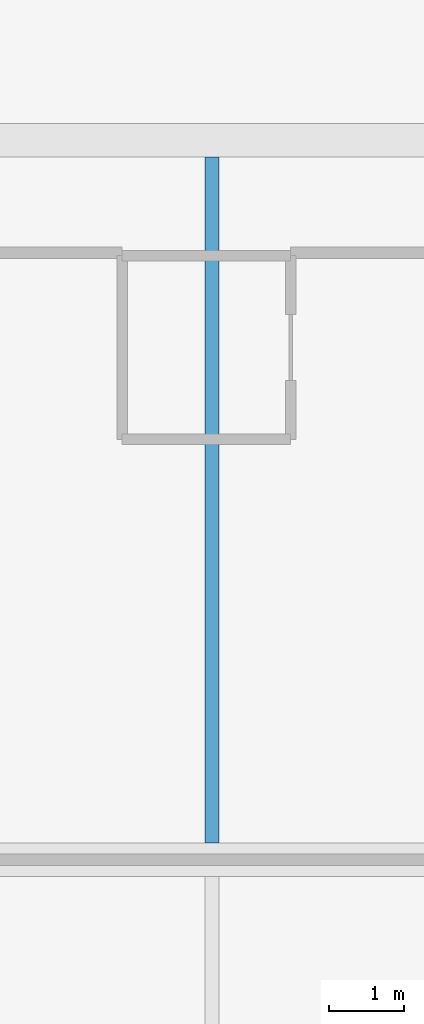
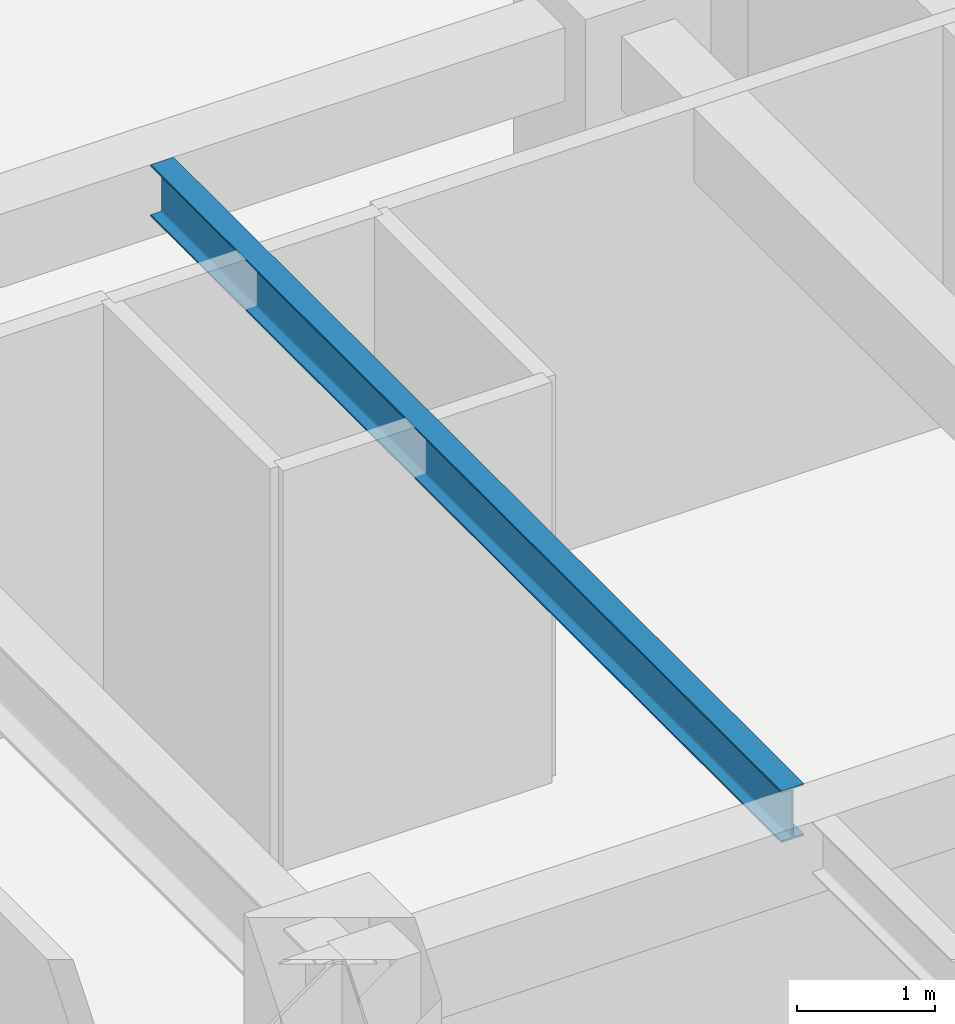
# One storey, part 2 of 10: 1 beam.
"""IFC4 building model written with IfcOpenShell, lengths in metres."""

import ifcopenshell
import ifcopenshell.guid

model = None  # the IFC model being written
_history = None  # IfcOwnerHistory: only IFC2X3 demands one
_inside = {}  # id of a spatial element -> (the spatial element, [elements in it])
_under = {}  # id of a project, library or spatial element -> (it, [spatial elements below it])
_declared = {}  # id of a project -> (the project, [libraries it declares])
_typed = {}  # id of a type object -> (the type object, [elements of that type])
_made_of = {}  # id of a material, layer set ... -> (it, [elements and type objects made of it])


def new_model(schema):
    """Start an empty IFC model of exactly this schema.

    Asked for "IFC4X3", IfcOpenShell would pick the latest addendum, in which some entities
    have other attributes; the version numbers below select the first issue.
    IFC2X3 requires an IfcOwnerHistory on every rooted entity: one is made here for all.
    """
    global model, _history
    if schema == "IFC4X3":
        model = ifcopenshell.file(schema_version=(4, 3, 0, 0))
    else:
        model = ifcopenshell.file(schema=schema)
    _inside.clear()
    _under.clear()
    _declared.clear()
    _typed.clear()
    _made_of.clear()
    _history = None
    if model.schema == "IFC2X3":
        org = make("IfcOrganization", Name="unknown")
        user = make(
            "IfcPersonAndOrganization",
            ThePerson=make("IfcPerson", FamilyName="unknown"),
            TheOrganization=org,
        )
        app = make(
            "IfcApplication",
            ApplicationDeveloper=org,
            Version="unknown",
            ApplicationFullName="unknown",
            ApplicationIdentifier="unknown",
        )
        _history = make(
            "IfcOwnerHistory",
            OwningUser=user,
            OwningApplication=app,
            ChangeAction="ADDED",
            CreationDate=0,
        )
    return model


def make(cls, **values):
    """One entity of the class cls with the attributes given. An attribute that is None is left unset."""
    return model.create_entity(
        cls, **{name: value for name, value in values.items() if value is not None}
    )


def rooted(cls, **values):
    """An entity with a GlobalId (a new one), such as an element, a storey or a relation."""
    return make(cls, GlobalId=ifcopenshell.guid.new(), OwnerHistory=_history, **values)


def si_unit(unit_type, name, prefix=None):
    """IfcSIUnit, for example si_unit("LENGTHUNIT", "METRE", prefix="MILLI")."""
    return make("IfcSIUnit", UnitType=unit_type, Prefix=prefix, Name=name)


def assignment(units):
    """IfcUnitAssignment: the units of a project."""
    return None if units is None else make("IfcUnitAssignment", Units=units)


def point(xyz):
    """IfcCartesianPoint."""
    return None if xyz is None else make("IfcCartesianPoint", Coordinates=xyz)


def direction(xyz):
    """IfcDirection."""
    return None if xyz is None else make("IfcDirection", DirectionRatios=xyz)


def frame(location, z_axis=None, x_axis=None):
    """IfcAxis2Placement3D, a coordinate frame: its origin and axes. An axis left out is left unset."""
    return make(
        "IfcAxis2Placement3D",
        Location=point(location),
        Axis=direction(z_axis),
        RefDirection=direction(x_axis),
    )


def frame_2d(location, x_axis=None):
    """IfcAxis2Placement2D, a coordinate frame in the plane: its origin and x axis."""
    return make(
        "IfcAxis2Placement2D", Location=point(location), RefDirection=direction(x_axis)
    )


def origin():
    """The frame at (0, 0, 0) with its axes left unset."""
    return frame((0.0, 0.0, 0.0))


def origin_2d():
    """The frame at (0, 0) in the plane with its x axis left unset."""
    return frame_2d((0.0, 0.0))


def place(relative_to, where):
    """IfcLocalPlacement: puts the frame where relative to a parent placement (None: the world)."""
    return make(
        "IfcLocalPlacement", PlacementRelTo=relative_to, RelativePlacement=where
    )


def context(
    kind, dimensions, precision=None, world=None, true_north=None, identifier=None
):
    """IfcGeometricRepresentationContext, for example the 3D "Model" context."""
    return make(
        "IfcGeometricRepresentationContext",
        ContextIdentifier=identifier,
        ContextType=kind,
        CoordinateSpaceDimension=dimensions,
        Precision=precision,
        WorldCoordinateSystem=world,
        TrueNorth=true_north,
    )


def subcontext(parent, identifier, kind, view, scale=None):
    """IfcGeometricRepresentationSubContext, for example "Body" below "Model"."""
    return make(
        "IfcGeometricRepresentationSubContext",
        ContextIdentifier=identifier,
        ContextType=kind,
        ParentContext=parent,
        TargetScale=scale,
        TargetView=view,
    )


def project(units=None, contexts=None):
    """IfcProject with its units and contexts."""
    return rooted(
        "IfcProject",
        Name="project",
        RepresentationContexts=contexts,
        UnitsInContext=assignment(units),
    )


def spatial(cls, under=None, at=None, **own):
    """A site, building, storey or space (cls), placed at a placement, below another one or the project."""
    s = rooted(cls, ObjectPlacement=at, **own)
    if under is not None:
        _under.setdefault(under.id(), (under, []))[1].append(s)
    return s


def profile(cls, at=None, kind="AREA", **sizes):
    """A parametric profile (cls). Its sizes go by their IFC names, for example OverallWidth=200.0."""
    return make(cls, ProfileType=kind, Position=at, **sizes)


def i_section(**sizes):
    """IfcIShapeProfileDef."""
    return profile("IfcIShapeProfileDef", **sizes)


def extrude(swept, where, along, depth):
    """IfcExtrudedAreaSolid: the profile swept, set in the frame where, extruded along a direction by depth."""
    return make(
        "IfcExtrudedAreaSolid",
        SweptArea=swept,
        Position=where,
        ExtrudedDirection=direction(along),
        Depth=depth,
    )


def shape(context_of_items, identifier, shape_type, items):
    """IfcShapeRepresentation: the items that make up one representation, for example the "Body"."""
    return make(
        "IfcShapeRepresentation",
        ContextOfItems=context_of_items,
        RepresentationIdentifier=identifier,
        RepresentationType=shape_type,
        Items=items,
    )


def material(Name=None, Category=None):
    """IfcMaterial."""
    return make("IfcMaterial", Name=Name, Category=Category)


def material_profile(
    of_material, cross_section, Name=None, Category=None, Priority=None
):
    """IfcMaterialProfile: a cross section and its material."""
    return make(
        "IfcMaterialProfile",
        Name=Name,
        Material=of_material,
        Profile=cross_section,
        Priority=Priority,
        Category=Category,
    )


def profile_set(profiles, Name=None, composite=None):
    """IfcMaterialProfileSet."""
    return make(
        "IfcMaterialProfileSet",
        Name=Name,
        MaterialProfiles=profiles,
        CompositeProfile=composite,
    )


def made_of(thing, what):
    """Note that an element or type object is made of a material, layer set ...; save() writes the relation."""
    if what is not None:
        _made_of.setdefault(what.id(), (what, []))[1].append(thing)
    return thing


def type_object(cls, material=None, **own):
    """A type object (cls), such as IfcWallType, which elements share."""
    return made_of(rooted(cls, **own), material)


def element(
    cls,
    number,
    at=None,
    inside=None,
    cuts=None,
    type_object=None,
    material=None,
    context=None,
    identifier="Body",
    shape_type=None,
    held_by="IfcProductDefinitionShape",
    body=None,
    shapes=None,
    **own,
):
    """One element of the class cls, such as IfcWall. Its Tag is "e" and its number.

    at: its placement. inside: the storey or other place that contains it. cuts: it is an
    opening in that element (IfcRelVoidsElement). A single representation is given by context,
    identifier, shape_type and body (its items); several are given by shapes. held_by: the class
    of the entity that holds the representations. save() writes the other relations.
    """
    e = rooted(cls, Tag="e%d" % number, ObjectPlacement=at, **own)
    if body is not None:
        shapes = [shape(context, identifier, shape_type, body)]
    if shapes is not None:
        e.Representation = make(held_by, Representations=shapes)
    if inside is not None:
        _inside.setdefault(inside.id(), (inside, []))[1].append(e)
    if cuts is not None:
        rooted(
            "IfcRelVoidsElement", RelatingBuildingElement=cuts, RelatedOpeningElement=e
        )
    if type_object is not None:
        _typed.setdefault(type_object.id(), (type_object, []))[1].append(e)
    return made_of(e, material)


def aggregate(whole, parts):
    """IfcRelAggregates: a whole, such as a stair, and the parts it consists of."""
    return rooted("IfcRelAggregates", RelatingObject=whole, RelatedObjects=parts)


def save(model, path):
    """Write the relations noted so far, then the file.

    IfcRelAggregates (storeys below a building ...), IfcRelContainedInSpatialStructure (elements
    in a storey), IfcRelDefinesByType, IfcRelAssociatesMaterial and IfcRelDeclares: one each for
    every whole, place, type object, material and project.
    """
    for whole, parts in _under.values():
        aggregate(whole, parts)
    for where, things in _inside.values():
        rooted(
            "IfcRelContainedInSpatialStructure",
            RelatedElements=things,
            RelatingStructure=where,
        )
    for kind, things in _typed.values():
        rooted("IfcRelDefinesByType", RelatedObjects=things, RelatingType=kind)
    for what, things in _made_of.values():
        rooted("IfcRelAssociatesMaterial", RelatedObjects=things, RelatingMaterial=what)
    for by, libraries in _declared.values():
        rooted("IfcRelDeclares", RelatingContext=by, RelatedDefinitions=libraries)
    model.write(path)


model = new_model("IFC4")

# Units and contexts
model_context = context("Model", 3, precision=1e-05, world=origin(), true_north=direction((0.0, 1.0)))
body_context = subcontext(model_context, "Body", "Model", "MODEL_VIEW")
ifc_project = project(units=[si_unit("LENGTHUNIT", "METRE"), si_unit("AREAUNIT", "SQUARE_METRE"), si_unit("VOLUMEUNIT", "CUBIC_METRE"), si_unit("PLANEANGLEUNIT", "RADIAN"), si_unit("MASSUNIT", "GRAM", prefix="KILO")], contexts=[model_context])

# Site, building, storey
site_placement = place(None, origin())
site = spatial("IfcSite", under=ifc_project, at=site_placement, CompositionType="ELEMENT")
building_placement = place(site_placement, origin())
building = spatial("IfcBuilding", under=site, at=building_placement, Name="Kestravale Grand Hotel", CompositionType="ELEMENT")
storey_placement = place(building_placement, frame((0.0, 0.0, 153.60009765625)))
storey = spatial("IfcBuildingStorey", under=building, at=storey_placement, Name="L38", CompositionType="ELEMENT", Elevation=153.60009765625)

# Beam
ifc_material = material(Name="Steel ASTM A992 Grade 50", Category="steel")
ifc_material_profile = material_profile(ifc_material, i_section(OverallWidth=0.19091796875, OverallDepth=0.45703125, WebThickness=0.009033203125, FlangeThickness=0.014404296875, FilletRadius=0.015380859375, at=origin_2d()))
ifc_profile_set = profile_set([ifc_material_profile], Name="Steel ASTM A992 Grade 50")
beam_type = type_object("IfcBeamType", Name="B-FLR-JST18", PredefinedType="JOIST", material=ifc_profile_set)
beam_placement = place(storey_placement, frame((66.300048828125, 29.02490234375, 3.3212890625), z_axis=(0.0, 1.0, 0.0), x_axis=(-1.0, 0.0, 0.0)))
element("IfcBeam", 1, at=beam_placement, inside=storey, type_object=beam_type, Name="L38 floor joist 10-11/E-F #1", PredefinedType="JOIST", context=body_context, shape_type="SweptSolid", body=[
    extrude(i_section(OverallWidth=0.19091796875, OverallDepth=0.45703125, WebThickness=0.009033203125, FlangeThickness=0.014404296875, FilletRadius=0.015380859375, at=origin_2d()), origin(), (0.0, 0.0, 1.0), 9.150146484375),
])

save(model, "model.ifc")
